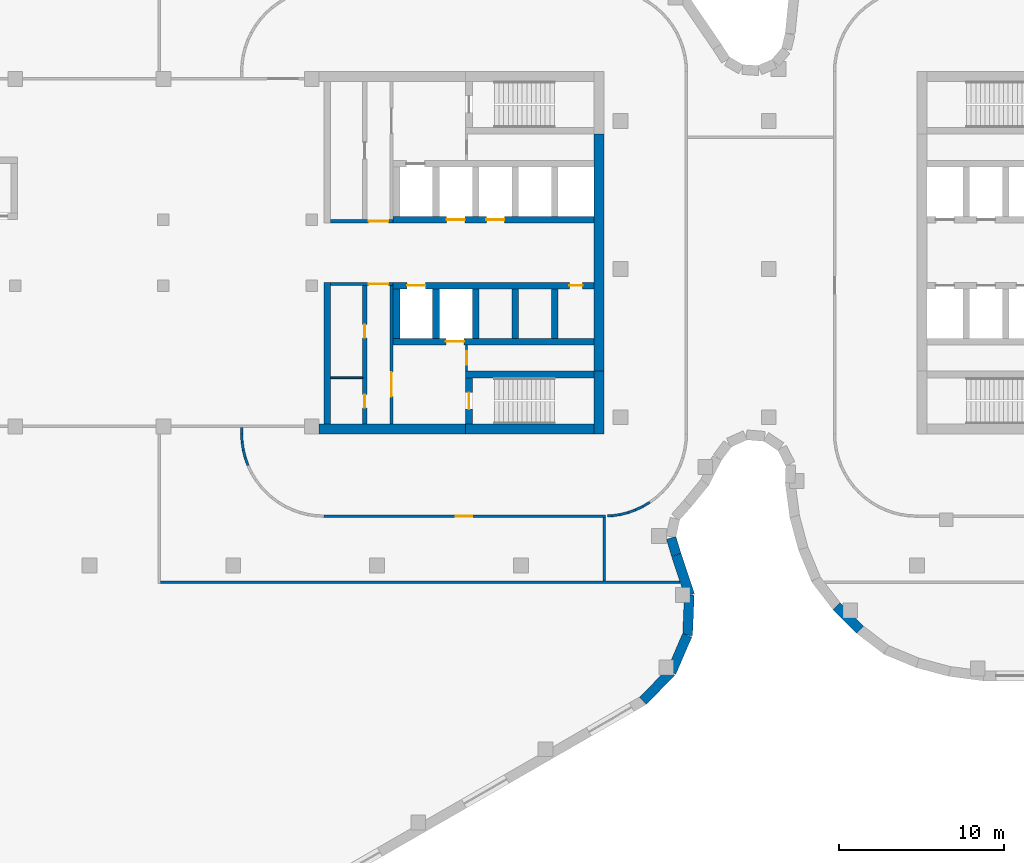
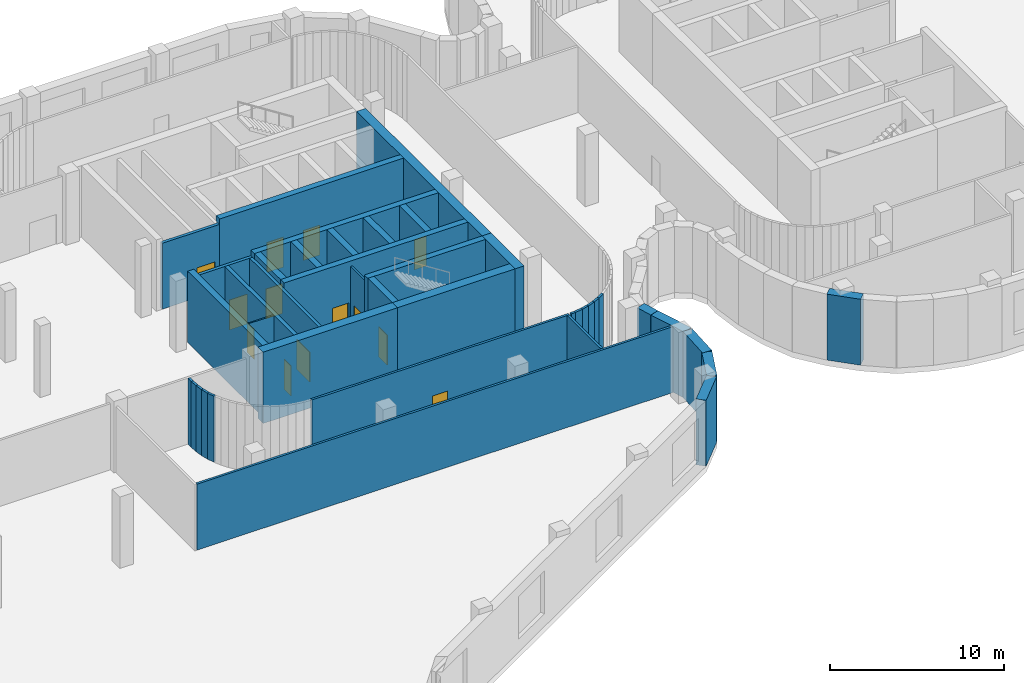
# One storey, part 8 of 18: 41 walls, 13 doors, 13 openings.
"""IFC4 building model written with IfcOpenShell, lengths in metres."""

import ifcopenshell
import ifcopenshell.guid

model = None  # the IFC model being written
_history = None  # IfcOwnerHistory: only IFC2X3 demands one
_inside = {}  # id of a spatial element -> (the spatial element, [elements in it])
_under = {}  # id of a project, library or spatial element -> (it, [spatial elements below it])
_declared = {}  # id of a project -> (the project, [libraries it declares])
_typed = {}  # id of a type object -> (the type object, [elements of that type])
_made_of = {}  # id of a material, layer set ... -> (it, [elements and type objects made of it])


def new_model(schema):
    """Start an empty IFC model of exactly this schema.

    Asked for "IFC4X3", IfcOpenShell would pick the latest addendum, in which some entities
    have other attributes; the version numbers below select the first issue.
    IFC2X3 requires an IfcOwnerHistory on every rooted entity: one is made here for all.
    """
    global model, _history
    if schema == "IFC4X3":
        model = ifcopenshell.file(schema_version=(4, 3, 0, 0))
    else:
        model = ifcopenshell.file(schema=schema)
    _inside.clear()
    _under.clear()
    _declared.clear()
    _typed.clear()
    _made_of.clear()
    _history = None
    if model.schema == "IFC2X3":
        org = make("IfcOrganization", Name="unknown")
        user = make(
            "IfcPersonAndOrganization",
            ThePerson=make("IfcPerson", FamilyName="unknown"),
            TheOrganization=org,
        )
        app = make(
            "IfcApplication",
            ApplicationDeveloper=org,
            Version="unknown",
            ApplicationFullName="unknown",
            ApplicationIdentifier="unknown",
        )
        _history = make(
            "IfcOwnerHistory",
            OwningUser=user,
            OwningApplication=app,
            ChangeAction="ADDED",
            CreationDate=0,
        )
    return model


def make(cls, **values):
    """One entity of the class cls with the attributes given. An attribute that is None is left unset."""
    return model.create_entity(
        cls, **{name: value for name, value in values.items() if value is not None}
    )


def rooted(cls, **values):
    """An entity with a GlobalId (a new one), such as an element, a storey or a relation."""
    return make(cls, GlobalId=ifcopenshell.guid.new(), OwnerHistory=_history, **values)


def si_unit(unit_type, name, prefix=None):
    """IfcSIUnit, for example si_unit("LENGTHUNIT", "METRE", prefix="MILLI")."""
    return make("IfcSIUnit", UnitType=unit_type, Prefix=prefix, Name=name)


def assignment(units):
    """IfcUnitAssignment: the units of a project."""
    return None if units is None else make("IfcUnitAssignment", Units=units)


def point(xyz):
    """IfcCartesianPoint."""
    return None if xyz is None else make("IfcCartesianPoint", Coordinates=xyz)


def direction(xyz):
    """IfcDirection."""
    return None if xyz is None else make("IfcDirection", DirectionRatios=xyz)


def frame(location, z_axis=None, x_axis=None):
    """IfcAxis2Placement3D, a coordinate frame: its origin and axes. An axis left out is left unset."""
    return make(
        "IfcAxis2Placement3D",
        Location=point(location),
        Axis=direction(z_axis),
        RefDirection=direction(x_axis),
    )


def frame_2d(location, x_axis=None):
    """IfcAxis2Placement2D, a coordinate frame in the plane: its origin and x axis."""
    return make(
        "IfcAxis2Placement2D", Location=point(location), RefDirection=direction(x_axis)
    )


def origin():
    """The frame at (0, 0, 0) with its axes left unset."""
    return frame((0.0, 0.0, 0.0))


def place(relative_to, where):
    """IfcLocalPlacement: puts the frame where relative to a parent placement (None: the world)."""
    return make(
        "IfcLocalPlacement", PlacementRelTo=relative_to, RelativePlacement=where
    )


def context(
    kind, dimensions, precision=None, world=None, true_north=None, identifier=None
):
    """IfcGeometricRepresentationContext, for example the 3D "Model" context."""
    return make(
        "IfcGeometricRepresentationContext",
        ContextIdentifier=identifier,
        ContextType=kind,
        CoordinateSpaceDimension=dimensions,
        Precision=precision,
        WorldCoordinateSystem=world,
        TrueNorth=true_north,
    )


def subcontext(parent, identifier, kind, view, scale=None):
    """IfcGeometricRepresentationSubContext, for example "Body" below "Model"."""
    return make(
        "IfcGeometricRepresentationSubContext",
        ContextIdentifier=identifier,
        ContextType=kind,
        ParentContext=parent,
        TargetScale=scale,
        TargetView=view,
    )


def project(units=None, contexts=None):
    """IfcProject with its units and contexts."""
    return rooted(
        "IfcProject",
        Name="project",
        RepresentationContexts=contexts,
        UnitsInContext=assignment(units),
    )


def spatial(cls, under=None, at=None, **own):
    """A site, building, storey or space (cls), placed at a placement, below another one or the project."""
    s = rooted(cls, ObjectPlacement=at, **own)
    if under is not None:
        _under.setdefault(under.id(), (under, []))[1].append(s)
    return s


def profile(cls, at=None, kind="AREA", **sizes):
    """A parametric profile (cls). Its sizes go by their IFC names, for example OverallWidth=200.0."""
    return make(cls, ProfileType=kind, Position=at, **sizes)


def rectangle(**sizes):
    """IfcRectangleProfileDef."""
    return profile("IfcRectangleProfileDef", **sizes)


def extrude(swept, where, along, depth):
    """IfcExtrudedAreaSolid: the profile swept, set in the frame where, extruded along a direction by depth."""
    return make(
        "IfcExtrudedAreaSolid",
        SweptArea=swept,
        Position=where,
        ExtrudedDirection=direction(along),
        Depth=depth,
    )


def shape(context_of_items, identifier, shape_type, items):
    """IfcShapeRepresentation: the items that make up one representation, for example the "Body"."""
    return make(
        "IfcShapeRepresentation",
        ContextOfItems=context_of_items,
        RepresentationIdentifier=identifier,
        RepresentationType=shape_type,
        Items=items,
    )


def material(Name=None, Category=None):
    """IfcMaterial."""
    return make("IfcMaterial", Name=Name, Category=Category)


def layer(
    of_material, thickness, ventilated=None, Name=None, Category=None, Priority=None
):
    """IfcMaterialLayer: one layer of a wall or slab, of a material (None: an air gap)."""
    return make(
        "IfcMaterialLayer",
        Material=of_material,
        LayerThickness=thickness,
        IsVentilated=ventilated,
        Name=Name,
        Category=Category,
        Priority=Priority,
    )


def layer_set(layers, Name=None):
    """IfcMaterialLayerSet."""
    return make("IfcMaterialLayerSet", MaterialLayers=layers, LayerSetName=Name)


def made_of(thing, what):
    """Note that an element or type object is made of a material, layer set ...; save() writes the relation."""
    if what is not None:
        _made_of.setdefault(what.id(), (what, []))[1].append(thing)
    return thing


def type_object(cls, material=None, **own):
    """A type object (cls), such as IfcWallType, which elements share."""
    return made_of(rooted(cls, **own), material)


def element(
    cls,
    number,
    at=None,
    inside=None,
    cuts=None,
    type_object=None,
    material=None,
    context=None,
    identifier="Body",
    shape_type=None,
    held_by="IfcProductDefinitionShape",
    body=None,
    shapes=None,
    **own,
):
    """One element of the class cls, such as IfcWall. Its Tag is "e" and its number.

    at: its placement. inside: the storey or other place that contains it. cuts: it is an
    opening in that element (IfcRelVoidsElement). A single representation is given by context,
    identifier, shape_type and body (its items); several are given by shapes. held_by: the class
    of the entity that holds the representations. save() writes the other relations.
    """
    e = rooted(cls, Tag="e%d" % number, ObjectPlacement=at, **own)
    if body is not None:
        shapes = [shape(context, identifier, shape_type, body)]
    if shapes is not None:
        e.Representation = make(held_by, Representations=shapes)
    if inside is not None:
        _inside.setdefault(inside.id(), (inside, []))[1].append(e)
    if cuts is not None:
        rooted(
            "IfcRelVoidsElement", RelatingBuildingElement=cuts, RelatedOpeningElement=e
        )
    if type_object is not None:
        _typed.setdefault(type_object.id(), (type_object, []))[1].append(e)
    return made_of(e, material)


def fill(opening, filler):
    """IfcRelFillsElement: the door or window that sits in an opening."""
    return rooted(
        "IfcRelFillsElement",
        RelatingOpeningElement=opening,
        RelatedBuildingElement=filler,
    )


def aggregate(whole, parts):
    """IfcRelAggregates: a whole, such as a stair, and the parts it consists of."""
    return rooted("IfcRelAggregates", RelatingObject=whole, RelatedObjects=parts)


def save(model, path):
    """Write the relations noted so far, then the file.

    IfcRelAggregates (storeys below a building ...), IfcRelContainedInSpatialStructure (elements
    in a storey), IfcRelDefinesByType, IfcRelAssociatesMaterial and IfcRelDeclares: one each for
    every whole, place, type object, material and project.
    """
    for whole, parts in _under.values():
        aggregate(whole, parts)
    for where, things in _inside.values():
        rooted(
            "IfcRelContainedInSpatialStructure",
            RelatedElements=things,
            RelatingStructure=where,
        )
    for kind, things in _typed.values():
        rooted("IfcRelDefinesByType", RelatedObjects=things, RelatingType=kind)
    for what, things in _made_of.values():
        rooted("IfcRelAssociatesMaterial", RelatedObjects=things, RelatingMaterial=what)
    for by, libraries in _declared.values():
        rooted("IfcRelDeclares", RelatingContext=by, RelatedDefinitions=libraries)
    model.write(path)


model = new_model("IFC4")

# Units and contexts
model_context = context("Model", 3, precision=1e-05, world=origin(), true_north=direction((0.0, 1.0)))
body_context = subcontext(model_context, "Body", "Model", "MODEL_VIEW")
ifc_project = project(units=[si_unit("LENGTHUNIT", "METRE"), si_unit("AREAUNIT", "SQUARE_METRE"), si_unit("VOLUMEUNIT", "CUBIC_METRE"), si_unit("PLANEANGLEUNIT", "RADIAN"), si_unit("MASSUNIT", "GRAM", prefix="KILO")], contexts=[model_context])

# Site, building, storey
site_placement = place(None, origin())
site = spatial("IfcSite", under=ifc_project, at=site_placement, CompositionType="ELEMENT")
building_placement = place(site_placement, origin())
building = spatial("IfcBuilding", under=site, at=building_placement, Name="Skarvind Civic Tower", CompositionType="ELEMENT")
storey_placement = place(building_placement, frame((0.0, 0.0, 22.5)))
storey = spatial("IfcBuildingStorey", under=building, at=storey_placement, Name="L04", CompositionType="ELEMENT", Elevation=22.5)

# Wall, opening, door
ifc_material_1 = material(Name="Fire-rated masonry partition", Category="masonry")
ifc_layer_1 = layer(ifc_material_1, 0.199951171875)
ifc_layer_set_1 = layer_set([ifc_layer_1], Name="Core enclosure wall 200")
wall_type_1 = type_object("IfcWallType", Name="Core enclosure wall 200", PredefinedType="PARTITIONING", material=ifc_layer_set_1)
wall_1_placement = place(storey_placement, frame((95.199951171875, 126.10009765625, 0.0), z_axis=(0.0, 0.0, 1.0), x_axis=(-1.0, 0.0, 0.0)))
wall_1 = element("IfcWall", 1, at=wall_1_placement, inside=storey, type_object=wall_type_1, Name="Core wall C1", PredefinedType="PARTITIONING", context=body_context, shape_type="SweptSolid", body=[
    extrude(rectangle(XDim=3.800048828125, YDim=0.199951171875, at=frame_2d((1.89990234375, 0.0))), origin(), (0.0, 0.0, 1.0), 4.625),
])
opening_1_placement = place(wall_1_placement, frame((0.300048828125, 0.0, 0.0)))
opening_1 = element("IfcOpeningElement", 2, at=opening_1_placement, cuts=wall_1, Name="Opening D-L04-C1-05", PredefinedType="OPENING", context=body_context, shape_type="SweptSolid", body=[
    extrude(rectangle(XDim=1.199951171875, YDim=2.10009765625, at=frame_2d((0.60009765625, 1.050048828125))), frame((0.0, 0.10986328125, 0.0), z_axis=(0.0, -1.0, 0.0), x_axis=(1.0, 0.0, 0.0)), (0.0, 0.0, 1.0), 0.219970703125),
])
ifc_material_2 = material(Name="Fire-rated steel door", Category="steel")
door_type_1 = type_object("IfcDoorType", Name="Core lobby door 1200", OperationType="NOTDEFINED", PredefinedType="DOOR", material=ifc_material_2)
door_1_placement = place(opening_1_placement, origin())
door_1 = element("IfcDoor", 3, at=door_1_placement, inside=storey, type_object=door_type_1, Name="Fire door", OperationType="DOUBLE_DOOR_SINGLE_SWING", OverallHeight=2.10009765625, OverallWidth=1.199951171875, PredefinedType="DOOR", context=body_context, shape_type="SweptSolid", body=[
    extrude(rectangle(XDim=1.199951171875, YDim=2.10009765625, at=frame_2d((0.60009765625, 1.050048828125))), frame((0.0, 0.02490234375, 0.0), z_axis=(0.0, -1.0, 0.0), x_axis=(1.0, 0.0, 0.0)), (0.0, 0.0, 1.0), 0.050048828125),
])
fill(opening_1, door_1)

wall_2_placement = place(storey_placement, frame((95.10009765625, 117.60009765625, 0.0), z_axis=(0.0, 0.0, 1.0), x_axis=(0.0, 1.0, 0.0)))
wall_2 = element("IfcWall", 4, at=wall_2_placement, inside=storey, type_object=wall_type_1, Name="Core wall C1", PredefinedType="PARTITIONING", context=body_context, shape_type="SweptSolid", body=[
    extrude(rectangle(XDim=8.39990234375, YDim=0.199951171875, at=frame_2d((4.199951171875, 0.0))), origin(), (0.0, 0.0, 1.0), 4.625),
])
opening_2_placement = place(wall_2_placement, frame((1.64990234375, 0.0, 0.0)))
opening_2 = element("IfcOpeningElement", 5, at=opening_2_placement, cuts=wall_2, Name="Opening D-L04-C1-06", PredefinedType="OPENING", context=body_context, shape_type="SweptSolid", body=[
    extrude(rectangle(XDim=1.5, YDim=2.10009765625, at=frame_2d((0.75, 1.050048828125))), frame((0.0, 0.10986328125, 0.0), z_axis=(0.0, -1.0, 0.0), x_axis=(1.0, 0.0, 0.0)), (0.0, 0.0, 1.0), 0.219970703125),
])
door_type_2 = type_object("IfcDoorType", Name="Fire door 1500", OperationType="NOTDEFINED", PredefinedType="DOOR", material=ifc_material_2)
door_2_placement = place(opening_2_placement, origin())
door_2 = element("IfcDoor", 6, at=door_2_placement, inside=storey, type_object=door_type_2, Name="Fire door", OperationType="DOUBLE_DOOR_SINGLE_SWING", OverallHeight=2.10009765625, OverallWidth=1.5, PredefinedType="DOOR", context=body_context, shape_type="SweptSolid", body=[
    extrude(rectangle(XDim=1.5, YDim=2.10009765625, at=frame_2d((0.75, 1.050048828125))), frame((0.0, 0.02490234375, 0.0), z_axis=(0.0, -1.0, 0.0), x_axis=(1.0, 0.0, 0.0)), (0.0, 0.0, 1.0), 0.050048828125),
])
fill(opening_2, door_2)

wall_3_placement = place(storey_placement, frame((91.39990234375, 129.89990234375, 0.0), z_axis=(0.0, 0.0, 1.0), x_axis=(1.0, 0.0, 0.0)))
wall_3 = element("IfcWall", 7, at=wall_3_placement, inside=storey, type_object=wall_type_1, Name="Core wall C1", PredefinedType="PARTITIONING", context=body_context, shape_type="SweptSolid", body=[
    extrude(rectangle(XDim=3.800048828125, YDim=0.199951171875, at=frame_2d((1.89990234375, 0.0))), origin(), (0.0, 0.0, 1.0), 4.625),
])
opening_3_placement = place(wall_3_placement, frame((2.300048828125, 0.0, 0.0)))
opening_3 = element("IfcOpeningElement", 8, at=opening_3_placement, cuts=wall_3, Name="Opening D-L04-C1-11", PredefinedType="OPENING", context=body_context, shape_type="SweptSolid", body=[
    extrude(rectangle(XDim=1.199951171875, YDim=2.10009765625, at=frame_2d((0.60009765625, 1.050048828125))), frame((0.0, 0.10986328125, 0.0), z_axis=(0.0, -1.0, 0.0), x_axis=(1.0, 0.0, 0.0)), (0.0, 0.0, 1.0), 0.219970703125),
])
door_3_placement = place(opening_3_placement, origin())
door_3 = element("IfcDoor", 9, at=door_3_placement, inside=storey, type_object=door_type_1, Name="Fire door", OperationType="DOUBLE_DOOR_SINGLE_SWING", OverallHeight=2.10009765625, OverallWidth=1.199951171875, PredefinedType="DOOR", context=body_context, shape_type="SweptSolid", body=[
    extrude(rectangle(XDim=1.199951171875, YDim=2.10009765625, at=frame_2d((0.60009765625, 1.050048828125))), frame((0.0, 0.02490234375, 0.0), z_axis=(0.0, -1.0, 0.0), x_axis=(1.0, 0.0, 0.0)), (0.0, 0.0, 1.0), 0.050048828125),
])
fill(opening_3, door_3)

# Walls
ifc_material_3 = material(Name="Fire-rated plasterboard partition")
ifc_layer_2 = layer(ifc_material_3, 0.10009765625)
ifc_layer_set_2 = layer_set([ifc_layer_2], Name="Core partition wall 100")
wall_type_2 = type_object("IfcWallType", Name="Core partition wall 100", PredefinedType="PARTITIONING", material=ifc_layer_set_2)
wall_4_placement = place(storey_placement, frame((93.35009765625, 120.39990234375, 0.0), z_axis=(0.0, 0.0, 1.0), x_axis=(-1.0, 0.0, 0.0)))
element("IfcWall", 10, at=wall_4_placement, inside=storey, type_object=wall_type_2, Name="Core wall C1", PredefinedType="PARTITIONING", context=body_context, shape_type="SweptSolid", body=[
    extrude(rectangle(XDim=1.9501953125, YDim=0.10009765625, at=frame_2d((0.97509765625, 0.0))), origin(), (0.0, 0.0, 1.0), 4.625),
])
ifc_material_4 = material(Name="Concrete C80", Category="concrete")
ifc_layer_3 = layer(ifc_material_4, 0.39990234375)
ifc_layer_set_3 = layer_set([ifc_layer_3], Name="Core wall 400 C80")
wall_type_3 = type_object("IfcWallType", Name="Core wall 400 C80", PredefinedType="SHEAR", material=ifc_layer_set_3)
wall_5_placement = place(storey_placement, frame((107.39990234375, 120.60009765625, 0.0), z_axis=(0.0, 0.0, 1.0), x_axis=(-1.0, 0.0, 0.0)))
element("IfcWall", 11, at=wall_5_placement, inside=storey, type_object=wall_type_3, Name="Core wall C1 north stair inner L04", PredefinedType="SHEAR", context=body_context, shape_type="SweptSolid", body=[
    extrude(rectangle(XDim=7.7998046875, YDim=0.39990234375, at=frame_2d((3.89990234375, 0.0))), origin(), (0.0, 0.0, 1.0), 5.0),
])

# Wall, opening, door
wall_6_placement = place(storey_placement, frame((99.800048828125, 120.39990234375, 0.0), z_axis=(0.0, 0.0, 1.0), x_axis=(0.0, -1.0, 0.0)))
wall_6 = element("IfcWall", 12, at=wall_6_placement, inside=storey, type_object=wall_type_3, Name="Core wall C1 north stair end L04", PredefinedType="SHEAR", context=body_context, shape_type="SweptSolid", body=[
    extrude(rectangle(XDim=2.7998046875, YDim=0.39990234375, at=frame_2d((1.39990234375, 0.0))), origin(), (0.0, 0.0, 1.0), 5.0),
])
opening_4_placement = place(wall_6_placement, frame((0.89990234375, 0.0, 0.0)))
opening_4 = element("IfcOpeningElement", 13, at=opening_4_placement, cuts=wall_6, Name="Opening D-L04-C1-07", PredefinedType="OPENING", context=body_context, shape_type="SweptSolid", body=[
    extrude(rectangle(XDim=1.0, YDim=2.10009765625, at=frame_2d((0.5, 1.050048828125))), frame((0.0, 0.2099609375, 0.0), z_axis=(0.0, -1.0, 0.0), x_axis=(1.0, 0.0, 0.0)), (0.0, 0.0, 1.0), 0.419921875),
])
door_type_3 = type_object("IfcDoorType", Name="Fire door 1000", OperationType="NOTDEFINED", PredefinedType="DOOR", material=ifc_material_2)
door_4_placement = place(opening_4_placement, origin())
door_4 = element("IfcDoor", 14, at=door_4_placement, inside=storey, type_object=door_type_3, Name="Fire door", OperationType="SINGLE_SWING_LEFT", OverallHeight=2.10009765625, OverallWidth=1.0, PredefinedType="DOOR", context=body_context, shape_type="SweptSolid", body=[
    extrude(rectangle(XDim=1.0, YDim=2.10009765625, at=frame_2d((0.5, 1.050048828125))), frame((0.0, 0.02490234375, 0.0), z_axis=(0.0, -1.0, 0.0), x_axis=(1.0, 0.0, 0.0)), (0.0, 0.0, 1.0), 0.050048828125),
])
fill(opening_4, door_4)

# Wall, openings, doors
wall_7_placement = place(storey_placement, frame((107.39990234375, 130.0, 0.0), z_axis=(0.0, 0.0, 1.0), x_axis=(-1.0, 0.0, 0.0)))
wall_7 = element("IfcWall", 15, at=wall_7_placement, inside=storey, type_object=wall_type_3, Name="Core wall C1 south lift row front L04", PredefinedType="SHEAR", context=body_context, shape_type="SweptSolid", body=[
    extrude(rectangle(XDim=12.199951171875, YDim=0.39990234375, at=frame_2d((6.10009765625, 0.0))), origin(), (0.0, 0.0, 1.0), 5.0),
])
opening_5_placement = place(wall_7_placement, frame((5.449951171875, 0.0, 0.0)))
opening_5 = element("IfcOpeningElement", 16, at=opening_5_placement, cuts=wall_7, Name="Opening LD06108", PredefinedType="OPENING", context=body_context, shape_type="SweptSolid", body=[
    extrude(rectangle(XDim=1.10009765625, YDim=2.10009765625, at=frame_2d((0.550048828125, 1.050048828125))), frame((0.0, 0.2099609375, 0.0), z_axis=(0.0, -1.0, 0.0), x_axis=(1.0, 0.0, 0.0)), (0.0, 0.0, 1.0), 0.419921875),
])
opening_6_placement = place(wall_7_placement, frame((7.85009765625, 0.0, 0.0)))
opening_6 = element("IfcOpeningElement", 17, at=opening_6_placement, cuts=wall_7, Name="Opening LD06109", PredefinedType="OPENING", context=body_context, shape_type="SweptSolid", body=[
    extrude(rectangle(XDim=1.10009765625, YDim=2.10009765625, at=frame_2d((0.550048828125, 1.050048828125))), frame((0.0, 0.2099609375, 0.0), z_axis=(0.0, -1.0, 0.0), x_axis=(1.0, 0.0, 0.0)), (0.0, 0.0, 1.0), 0.419921875),
])
ifc_material_5 = material(Name="Stainless steel landing door", Category="steel")
door_type_4 = type_object("IfcDoorType", Name="Lift landing door 1100", OperationType="DOUBLE_DOOR_SLIDING", PredefinedType="DOOR", material=ifc_material_5)
door_5_placement = place(opening_5_placement, origin())
door_5 = element("IfcDoor", 18, at=door_5_placement, inside=storey, type_object=door_type_4, Name="Lift landing door", OperationType="DOUBLE_DOOR_SLIDING", OverallHeight=2.10009765625, OverallWidth=1.10009765625, PredefinedType="DOOR", context=body_context, shape_type="SweptSolid", body=[
    extrude(rectangle(XDim=1.10009765625, YDim=2.10009765625, at=frame_2d((0.550048828125, 1.050048828125))), frame((0.0, 0.02490234375, 0.0), z_axis=(0.0, -1.0, 0.0), x_axis=(1.0, 0.0, 0.0)), (0.0, 0.0, 1.0), 0.050048828125),
])
fill(opening_5, door_5)
door_6_placement = place(opening_6_placement, origin())
door_6 = element("IfcDoor", 19, at=door_6_placement, inside=storey, type_object=door_type_4, Name="Lift landing door", OperationType="DOUBLE_DOOR_SLIDING", OverallHeight=2.10009765625, OverallWidth=1.10009765625, PredefinedType="DOOR", context=body_context, shape_type="SweptSolid", body=[
    extrude(rectangle(XDim=1.10009765625, YDim=2.10009765625, at=frame_2d((0.550048828125, 1.050048828125))), frame((0.0, 0.02490234375, 0.0), z_axis=(0.0, -1.0, 0.0), x_axis=(1.0, 0.0, 0.0)), (0.0, 0.0, 1.0), 0.050048828125),
])
fill(opening_6, door_6)

wall_8_placement = place(storey_placement, frame((107.39990234375, 126.0, 0.0), z_axis=(0.0, 0.0, 1.0), x_axis=(-1.0, 0.0, 0.0)))
wall_8 = element("IfcWall", 20, at=wall_8_placement, inside=storey, type_object=wall_type_3, Name="Core wall C1 north lift row front L04", PredefinedType="SHEAR", context=body_context, shape_type="SweptSolid", body=[
    extrude(rectangle(XDim=12.199951171875, YDim=0.39990234375, at=frame_2d((6.10009765625, 0.0))), origin(), (0.0, 0.0, 1.0), 5.0),
])
opening_7_placement = place(wall_8_placement, frame((10.25, 0.0, 0.0)))
opening_7 = element("IfcOpeningElement", 21, at=opening_7_placement, cuts=wall_8, Name="Opening LD06105", PredefinedType="OPENING", context=body_context, shape_type="SweptSolid", body=[
    extrude(rectangle(XDim=1.10009765625, YDim=2.10009765625, at=frame_2d((0.550048828125, 1.050048828125))), frame((0.0, 0.2099609375, 0.0), z_axis=(0.0, -1.0, 0.0), x_axis=(1.0, 0.0, 0.0)), (0.0, 0.0, 1.0), 0.419921875),
])
opening_8_placement = place(wall_8_placement, frame((0.699951171875, 0.0, 0.0)))
opening_8 = element("IfcOpeningElement", 22, at=opening_8_placement, cuts=wall_8, Name="Opening D-L04-C1-04", PredefinedType="OPENING", context=body_context, shape_type="SweptSolid", body=[
    extrude(rectangle(XDim=0.800048828125, YDim=2.10009765625, at=frame_2d((0.39990234375, 1.050048828125))), frame((0.0, 0.2099609375, 0.0), z_axis=(0.0, -1.0, 0.0), x_axis=(1.0, 0.0, 0.0)), (0.0, 0.0, 1.0), 0.419921875),
])
door_type_5 = type_object("IfcDoorType", Name="Core riser door 800", OperationType="NOTDEFINED", PredefinedType="DOOR", material=ifc_material_2)
door_7_placement = place(opening_8_placement, origin())
door_7 = element("IfcDoor", 23, at=door_7_placement, inside=storey, type_object=door_type_5, Name="Riser door", OperationType="SINGLE_SWING_LEFT", OverallHeight=2.10009765625, OverallWidth=0.800048828125, PredefinedType="DOOR", context=body_context, shape_type="SweptSolid", body=[
    extrude(rectangle(XDim=0.800048828125, YDim=2.10009765625, at=frame_2d((0.39990234375, 1.050048828125))), frame((0.0, 0.02490234375, 0.0), z_axis=(0.0, -1.0, 0.0), x_axis=(1.0, 0.0, 0.0)), (0.0, 0.0, 1.0), 0.050048828125),
])
fill(opening_8, door_7)
door_8_placement = place(opening_7_placement, origin())
door_8 = element("IfcDoor", 24, at=door_8_placement, inside=storey, type_object=door_type_4, Name="Lift landing door", OperationType="DOUBLE_DOOR_SLIDING", OverallHeight=2.10009765625, OverallWidth=1.10009765625, PredefinedType="DOOR", context=body_context, shape_type="SweptSolid", body=[
    extrude(rectangle(XDim=1.10009765625, YDim=2.10009765625, at=frame_2d((0.550048828125, 1.050048828125))), frame((0.0, 0.02490234375, 0.0), z_axis=(0.0, -1.0, 0.0), x_axis=(1.0, 0.0, 0.0)), (0.0, 0.0, 1.0), 0.050048828125),
])
fill(opening_7, door_8)

# Wall, opening, door
wall_9_placement = place(storey_placement, frame((107.39990234375, 122.60009765625, 0.0), z_axis=(0.0, 0.0, 1.0), x_axis=(-1.0, 0.0, 0.0)))
wall_9 = element("IfcWall", 25, at=wall_9_placement, inside=storey, type_object=wall_type_3, Name="Core wall C1 north lift row back L04", PredefinedType="SHEAR", context=body_context, shape_type="SweptSolid", body=[
    extrude(rectangle(XDim=12.199951171875, YDim=0.39990234375, at=frame_2d((6.10009765625, 0.0))), origin(), (0.0, 0.0, 1.0), 5.0),
])
opening_9_placement = place(wall_9_placement, frame((7.89990234375, 0.0, 0.0)))
opening_9 = element("IfcOpeningElement", 26, at=opening_9_placement, cuts=wall_9, Name="Opening LD06104", PredefinedType="OPENING", context=body_context, shape_type="SweptSolid", body=[
    extrude(rectangle(XDim=1.10009765625, YDim=2.10009765625, at=frame_2d((0.550048828125, 1.050048828125))), frame((0.0, 0.2099609375, 0.0), z_axis=(0.0, -1.0, 0.0), x_axis=(1.0, 0.0, 0.0)), (0.0, 0.0, 1.0), 0.419921875),
])
door_9_placement = place(opening_9_placement, origin())
door_9 = element("IfcDoor", 27, at=door_9_placement, inside=storey, type_object=door_type_4, Name="Lift landing door", OperationType="DOUBLE_DOOR_SLIDING", OverallHeight=2.10009765625, OverallWidth=1.10009765625, PredefinedType="DOOR", context=body_context, shape_type="SweptSolid", body=[
    extrude(rectangle(XDim=1.10009765625, YDim=2.10009765625, at=frame_2d((0.550048828125, 1.050048828125))), frame((0.0, 0.02490234375, 0.0), z_axis=(0.0, -1.0, 0.0), x_axis=(1.0, 0.0, 0.0)), (0.0, 0.0, 1.0), 0.050048828125),
])
fill(opening_9, door_9)

# Walls
for number, where, z_axis, x_axis, name in (
    (28, (105.0, 125.800048828125, 0.0), (0.0, 0.0, 1.0), (0.0, -1.0, 0.0), "Core wall C1 north lift row division 1 L04"),
    (29, (102.60009765625, 125.800048828125, 0.0), (0.0, 0.0, 1.0), (0.0, -1.0, 0.0), "Core wall C1 north lift row division 2 L04"),
    (30, (100.199951171875, 125.800048828125, 0.0), (0.0, 0.0, 1.0), (0.0, -1.0, 0.0), "Core wall C1 north lift row division 3 L04"),
    (31, (97.800048828125, 125.800048828125, 0.0), (0.0, 0.0, 1.0), (0.0, -1.0, 0.0), "Core wall C1 north lift row division 4 L04"),
    (32, (95.39990234375, 125.800048828125, 0.0), (0.0, 0.0, 1.0), (0.0, -1.0, 0.0), "Core wall C1 north lift row division 5 L04"),
):
    element("IfcWall", number, at=place(storey_placement, frame(where, z_axis=z_axis, x_axis=x_axis)), inside=storey, type_object=wall_type_3, Name=name, PredefinedType="SHEAR", context=body_context, shape_type="SweptSolid", body=[
        extrude(rectangle(XDim=3.0, YDim=0.39990234375, at=frame_2d((1.5, 0.0))), origin(), (0.0, 0.0, 1.0), 5.0),
    ])
wall_10_placement = place(storey_placement, frame((91.199951171875, 126.199951171875, 0.0), z_axis=(0.0, 0.0, 1.0), x_axis=(0.0, -1.0, 0.0)))
element("IfcWall", 33, at=wall_10_placement, inside=storey, type_object=wall_type_3, Name="Core wall C1 north inner face L04", PredefinedType="SHEAR", context=body_context, shape_type="SweptSolid", body=[
    extrude(rectangle(XDim=8.599853515625, YDim=0.39990234375, at=frame_2d((4.2998046875, 0.0))), origin(), (0.0, 0.0, 1.0), 5.0),
])
ifc_layer_4 = layer(ifc_material_4, 0.60009765625)
ifc_layer_set_4 = layer_set([ifc_layer_4], Name="Core wall 600 C80")
wall_type_4 = type_object("IfcWallType", Name="Core wall 600 C80", PredefinedType="SHEAR", material=ifc_layer_set_4)
wall_11_placement = place(storey_placement, frame((107.699951171875, 135.199951171875, 0.0), z_axis=(0.0, 0.0, 1.0), x_axis=(0.0, -1.0, 0.0)))
element("IfcWall", 34, at=wall_11_placement, inside=storey, type_object=wall_type_4, Name="Core wall C1 tip between the stairs L04", PredefinedType="SHEAR", context=body_context, shape_type="SweptSolid", body=[
    extrude(rectangle(XDim=14.39990234375, YDim=0.60009765625, at=frame_2d((7.199951171875, 0.0))), origin(), (0.0, 0.0, 1.0), 5.0),
])
wall_12_placement = place(storey_placement, frame((107.699951171875, 120.800048828125, 0.0), z_axis=(0.0, 0.0, 1.0), x_axis=(0.0, -1.0, 0.0)))
element("IfcWall", 35, at=wall_12_placement, inside=storey, type_object=wall_type_4, Name="Core wall C1 tip at the north stair L04", PredefinedType="SHEAR", context=body_context, shape_type="SweptSolid", body=[
    extrude(rectangle(XDim=3.800048828125, YDim=0.60009765625, at=frame_2d((1.89990234375, 0.0))), origin(), (0.0, 0.0, 1.0), 5.0),
])
wall_13_placement = place(storey_placement, frame((107.39990234375, 117.300048828125, 0.0), z_axis=(0.0, 0.0, 1.0), x_axis=(-1.0, 0.0, 0.0)))
element("IfcWall", 36, at=wall_13_placement, inside=storey, type_object=wall_type_4, Name="Core wall C1 north side at the stair L04", PredefinedType="SHEAR", context=body_context, shape_type="SweptSolid", body=[
    extrude(rectangle(XDim=7.7998046875, YDim=0.60009765625, at=frame_2d((3.89990234375, 0.0))), origin(), (0.0, 0.0, 1.0), 5.0),
])
wall_14_placement = place(storey_placement, frame((99.60009765625, 117.300048828125, 0.0), z_axis=(0.0, 0.0, 1.0), x_axis=(-1.0, 0.0, 0.0)))
element("IfcWall", 37, at=wall_14_placement, inside=storey, type_object=wall_type_4, Name="Core wall C1 north side L04", PredefinedType="SHEAR", context=body_context, shape_type="SweptSolid", body=[
    extrude(rectangle(XDim=8.900146484375, YDim=0.60009765625, at=frame_2d((4.4501953125, 0.0))), origin(), (0.0, 0.0, 1.0), 5.0),
])
ifc_material_6 = material(Name="Plasterboard partition on steel studs", Category="steel")
ifc_layer_5 = layer(ifc_material_6, 0.14990234375)
ifc_layer_set_5 = layer_set([ifc_layer_5], Name="PARTITION 150")
wall_type_5 = type_object("IfcWallType", Name="PARTITION 150", PredefinedType="PARTITIONING", material=ifc_layer_set_5)
wall_15_placement = place(storey_placement, frame((81.074951171875, 108.0, 0.0), z_axis=(0.0, 0.0, 1.0), x_axis=(1.0, 0.0, 0.0)))
element("IfcWall", 38, at=wall_15_placement, inside=storey, type_object=wall_type_5, Name="Podium partition L04 128", PredefinedType="PARTITIONING", context=body_context, shape_type="SweptSolid", body=[
    extrude(rectangle(XDim=31.545166015625, YDim=0.14990234375, at=frame_2d((15.7724609375, 0.0))), origin(), (0.0, 0.0, 1.0), 4.625),
])
wall_16_placement = place(storey_placement, frame((86.0, 116.998046875, 0.0), z_axis=(0.0, 0.0, 1.0), x_axis=(0.0, 1.0, 0.0)))
element("IfcWall", 39, at=wall_16_placement, inside=storey, type_object=wall_type_5, Name="Podium partition L04 130", PredefinedType="PARTITIONING", context=body_context, shape_type="SweptSolid", body=[
    extrude(rectangle(XDim=0.376953125, YDim=0.14990234375, at=frame_2d((0.1884765625, 0.0))), origin(), (0.0, 0.0, 1.0), 4.625),
])
wall_17_placement = place(storey_placement, frame((86.0, 117.001953125, 0.0), z_axis=(0.0, 0.0, 1.0), x_axis=(0.048196018647, -0.998837896651, 0.0)))
element("IfcWall", 40, at=wall_17_placement, inside=storey, type_object=wall_type_5, Name="Podium partition L04 131", PredefinedType="PARTITIONING", context=body_context, shape_type="SweptSolid", body=[
    extrude(rectangle(XDim=0.496337890625, YDim=0.14990234375, at=frame_2d((0.248046875, 0.0))), origin(), (0.0, 0.0, 1.0), 4.625),
])
wall_18_placement = place(storey_placement, frame((86.02294921875, 116.513916015625, 0.0), z_axis=(0.0, 0.0, 1.0), x_axis=(0.148412307247, -0.988925572052, 0.0)))
element("IfcWall", 41, at=wall_18_placement, inside=storey, type_object=wall_type_5, Name="Podium partition L04 134", PredefinedType="PARTITIONING", context=body_context, shape_type="SweptSolid", body=[
    extrude(rectangle(XDim=0.49853515625, YDim=0.14990234375, at=frame_2d((0.249267578125, 0.0))), origin(), (0.0, 0.0, 1.0), 4.625),
])
wall_19_placement = place(storey_placement, frame((86.094970703125, 116.029052734375, 0.0), z_axis=(0.0, 0.0, 1.0), x_axis=(0.242650732785, -0.970113715952, 0.0)))
element("IfcWall", 42, at=wall_19_placement, inside=storey, type_object=wall_type_5, Name="Podium partition L04 136", PredefinedType="PARTITIONING", context=body_context, shape_type="SweptSolid", body=[
    extrude(rectangle(XDim=0.4990234375, YDim=0.14990234375, at=frame_2d((0.24951171875, 0.0))), origin(), (0.0, 0.0, 1.0), 4.625),
])
wall_20_placement = place(storey_placement, frame((86.214111328125, 115.552978515625, 0.0), z_axis=(0.0, 0.0, 1.0), x_axis=(0.3371744988, -0.941442168887, 0.0)))
element("IfcWall", 43, at=wall_20_placement, inside=storey, type_object=wall_type_5, Name="Podium partition L04 138", PredefinedType="PARTITIONING", context=body_context, shape_type="SweptSolid", body=[
    extrude(rectangle(XDim=0.498046875, YDim=0.14990234375, at=frame_2d((0.2490234375, 0.0))), origin(), (0.0, 0.0, 1.0), 4.625),
])

# Wall, opening, door
wall_21_placement = place(storey_placement, frame((108.074951171875, 112.0, 0.0), z_axis=(0.0, 0.0, 1.0), x_axis=(-1.0, 0.0, 0.0)))
wall_21 = element("IfcWall", 44, at=wall_21_placement, inside=storey, type_object=wall_type_5, Name="Podium partition L04 164", PredefinedType="PARTITIONING", context=body_context, shape_type="SweptSolid", body=[
    extrude(rectangle(XDim=17.076904296875, YDim=0.14990234375, at=frame_2d((8.53857421875, 0.0))), origin(), (0.0, 0.0, 1.0), 4.625),
])
opening_10_placement = place(wall_21_placement, frame((8.074951171875, 0.0, 0.0)))
opening_10 = element("IfcOpeningElement", 45, at=opening_10_placement, cuts=wall_21, Name="Opening L04-D218", PredefinedType="OPENING", context=body_context, shape_type="SweptSolid", body=[
    extrude(rectangle(XDim=1.0, YDim=2.10009765625, at=frame_2d((0.5, 1.050048828125))), frame((0.0, 0.0849609375, 0.0), z_axis=(0.0, -1.0, 0.0), x_axis=(1.0, 0.0, 0.0)), (0.0, 0.0, 1.0), 0.169921875),
])
ifc_material_7 = material(Name="Timber veneer door leaf", Category="wood")
door_type_6 = type_object("IfcDoorType", Name="DOOR 1000X2100 TIMBER", OperationType="NOTDEFINED", PredefinedType="DOOR", material=ifc_material_7)
door_10_placement = place(opening_10_placement, origin())
door_10 = element("IfcDoor", 46, at=door_10_placement, inside=storey, type_object=door_type_6, Name="DOOR DOOR", OperationType="SINGLE_SWING_LEFT", OverallHeight=2.10009765625, OverallWidth=1.0, PredefinedType="DOOR", context=body_context, shape_type="SweptSolid", body=[
    extrude(rectangle(XDim=1.0, YDim=2.10009765625, at=frame_2d((0.5, 1.050048828125))), frame((0.0, 0.02490234375, 0.0), z_axis=(0.0, -1.0, 0.0), x_axis=(1.0, 0.0, 0.0)), (0.0, 0.0, 1.0), 0.050048828125),
])
fill(opening_10, door_10)

# Walls
wall_22_placement = place(storey_placement, frame((108.0, 108.074951171875, 0.0), z_axis=(0.0, 0.0, 1.0), x_axis=(0.0, 1.0, 0.0)))
element("IfcWall", 47, at=wall_22_placement, inside=storey, type_object=wall_type_5, Name="Podium partition L04 166", PredefinedType="PARTITIONING", context=body_context, shape_type="SweptSolid", body=[
    extrude(rectangle(XDim=3.85009765625, YDim=0.14990234375, at=frame_2d((1.925048828125, 0.0))), origin(), (0.0, 0.0, 1.0), 4.625),
])
wall_23_placement = place(storey_placement, frame((108.214111328125, 112.010009765625, 0.0), z_axis=(0.0, 0.0, 1.0), x_axis=(0.99876534507, 0.049676810357, 0.0)))
element("IfcWall", 48, at=wall_23_placement, inside=storey, type_object=wall_type_5, Name="Podium partition L04 167", PredefinedType="PARTITIONING", context=body_context, shape_type="SweptSolid", body=[
    extrude(rectangle(XDim=0.280029296875, YDim=0.14990234375, at=frame_2d((0.14013671875, 0.0))), origin(), (0.0, 0.0, 1.0), 4.625),
])
wall_24_placement = place(storey_placement, frame((108.486083984375, 112.02294921875, 0.0), z_axis=(0.0, 0.0, 1.0), x_axis=(0.988925572052, 0.148412307247, 0.0)))
element("IfcWall", 49, at=wall_24_placement, inside=storey, type_object=wall_type_5, Name="Podium partition L04 170", PredefinedType="PARTITIONING", context=body_context, shape_type="SweptSolid", body=[
    extrude(rectangle(XDim=0.49853515625, YDim=0.14990234375, at=frame_2d((0.249267578125, 0.0))), origin(), (0.0, 0.0, 1.0), 4.625),
])
wall_25_placement = place(storey_placement, frame((108.970947265625, 112.094970703125, 0.0), z_axis=(0.0, 0.0, 1.0), x_axis=(0.970113715952, 0.242650732785, 0.0)))
element("IfcWall", 50, at=wall_25_placement, inside=storey, type_object=wall_type_5, Name="Podium partition L04 172", PredefinedType="PARTITIONING", context=body_context, shape_type="SweptSolid", body=[
    extrude(rectangle(XDim=0.4990234375, YDim=0.14990234375, at=frame_2d((0.24951171875, 0.0))), origin(), (0.0, 0.0, 1.0), 4.625),
])
for number, where, z_axis, x_axis, name in (
    (51, (109.447021484375, 112.214111328125, 0.0), (0.0, 0.0, 1.0), (0.941442168887, 0.3371744988, 0.0), "Podium partition L04 174"),
    (52, (109.909912109375, 112.37890625, 0.0), (0.0, 0.0, 1.0), (0.903827641978, 0.427896709028, 0.0), "Podium partition L04 176"),
):
    element("IfcWall", number, at=place(storey_placement, frame(where, z_axis=z_axis, x_axis=x_axis)), inside=storey, type_object=wall_type_5, Name=name, PredefinedType="PARTITIONING", context=body_context, shape_type="SweptSolid", body=[
        extrude(rectangle(XDim=0.498046875, YDim=0.14990234375, at=frame_2d((0.2490234375, 0.0))), origin(), (0.0, 0.0, 1.0), 4.625),
    ])
wall_26_placement = place(storey_placement, frame((110.35400390625, 112.587890625, 0.0), z_axis=(0.0, 0.0, 1.0), x_axis=(0.85671397893, 0.515791778052, 0.0)))
element("IfcWall", 53, at=wall_26_placement, inside=storey, type_object=wall_type_5, Name="Podium partition L04 178", PredefinedType="PARTITIONING", context=body_context, shape_type="SweptSolid", body=[
    extrude(rectangle(XDim=0.49853515625, YDim=0.14990234375, at=frame_2d((0.249267578125, 0.0))), origin(), (0.0, 0.0, 1.0), 4.625),
])

# Wall, opening, door
ifc_layer_6 = layer(ifc_material_1, 0.125)
ifc_layer_set_6 = layer_set([ifc_layer_6], Name="Riser wall 125")
wall_type_6 = type_object("IfcWallType", Name="Riser wall 125", PredefinedType="PARTITIONING", material=ifc_layer_set_6)
wall_27_placement = place(storey_placement, frame((99.66259765625, 120.800048828125, 0.0), z_axis=(0.0, 0.0, 1.0), x_axis=(0.0, 1.0, 0.0)))
wall_27 = element("IfcWall", 54, at=wall_27_placement, inside=storey, type_object=wall_type_6, Name="Core wall C1", PredefinedType="PARTITIONING", context=body_context, shape_type="SweptSolid", body=[
    extrude(rectangle(XDim=1.599853515625, YDim=0.125, at=frame_2d((0.7998046875, 0.0))), origin(), (0.0, 0.0, 1.0), 4.625),
])
opening_11_placement = place(wall_27_placement, frame((0.39990234375, 0.0, 0.0)))
opening_11 = element("IfcOpeningElement", 55, at=opening_11_placement, cuts=wall_27, Name="Opening D-L04-C1-08", PredefinedType="OPENING", context=body_context, shape_type="SweptSolid", body=[
    extrude(rectangle(XDim=0.800048828125, YDim=2.10009765625, at=frame_2d((0.39990234375, 1.050048828125))), frame((0.0, 0.072509765625, 0.0), z_axis=(0.0, -1.0, 0.0), x_axis=(1.0, 0.0, 0.0)), (0.0, 0.0, 1.0), 0.14501953125),
])
door_11_placement = place(opening_11_placement, origin())
door_11 = element("IfcDoor", 56, at=door_11_placement, inside=storey, type_object=door_type_5, Name="Riser door", OperationType="SINGLE_SWING_RIGHT", OverallHeight=2.10009765625, OverallWidth=0.800048828125, PredefinedType="DOOR", context=body_context, shape_type="SweptSolid", body=[
    extrude(rectangle(XDim=0.800048828125, YDim=2.10009765625, at=frame_2d((0.39990234375, 1.050048828125))), frame((0.0, 0.02490234375, 0.0), z_axis=(0.0, -1.0, 0.0), x_axis=(1.0, 0.0, 0.0)), (0.0, 0.0, 1.0), 0.050048828125),
])
fill(opening_11, door_11)

# Wall, openings, doors
ifc_layer_7 = layer(ifc_material_1, 0.25)
ifc_layer_set_7 = layer_set([ifc_layer_7], Name="Service block wall 250")
wall_type_7 = type_object("IfcWallType", Name="Service block wall 250", PredefinedType="PARTITIONING", material=ifc_layer_set_7)
wall_28_placement = place(storey_placement, frame((93.47509765625, 117.60009765625, 0.0), z_axis=(0.0, 0.0, 1.0), x_axis=(0.0, 1.0, 0.0)))
wall_28 = element("IfcWall", 57, at=wall_28_placement, inside=storey, type_object=wall_type_7, Name="Core wall C1", PredefinedType="PARTITIONING", context=body_context, shape_type="SweptSolid", body=[
    extrude(rectangle(XDim=8.39990234375, YDim=0.25, at=frame_2d((4.199951171875, 0.0))), origin(), (0.0, 0.0, 1.0), 4.625),
])
opening_12_placement = place(wall_28_placement, frame((5.22509765625, 0.0, 0.0)))
opening_12 = element("IfcOpeningElement", 58, at=opening_12_placement, cuts=wall_28, Name="Opening D-L04-C1-09", PredefinedType="OPENING", context=body_context, shape_type="SweptSolid", body=[
    extrude(rectangle(XDim=0.800048828125, YDim=2.10009765625, at=frame_2d((0.39990234375, 1.050048828125))), frame((0.0, 0.135009765625, 0.0), z_axis=(0.0, -1.0, 0.0), x_axis=(1.0, 0.0, 0.0)), (0.0, 0.0, 1.0), 0.27001953125),
])
opening_13_placement = place(wall_28_placement, frame((0.97509765625, 0.0, 0.0)))
opening_13 = element("IfcOpeningElement", 59, at=opening_13_placement, cuts=wall_28, Name="Opening D-L04-C1-10", PredefinedType="OPENING", context=body_context, shape_type="SweptSolid", body=[
    extrude(rectangle(XDim=0.800048828125, YDim=2.10009765625, at=frame_2d((0.39990234375, 1.050048828125))), frame((0.0, 0.135009765625, 0.0), z_axis=(0.0, -1.0, 0.0), x_axis=(1.0, 0.0, 0.0)), (0.0, 0.0, 1.0), 0.27001953125),
])
door_12_placement = place(opening_12_placement, origin())
door_12 = element("IfcDoor", 60, at=door_12_placement, inside=storey, type_object=door_type_5, Name="Riser door", OperationType="SINGLE_SWING_LEFT", OverallHeight=2.10009765625, OverallWidth=0.800048828125, PredefinedType="DOOR", context=body_context, shape_type="SweptSolid", body=[
    extrude(rectangle(XDim=0.800048828125, YDim=2.10009765625, at=frame_2d((0.39990234375, 1.050048828125))), frame((0.0, 0.02490234375, 0.0), z_axis=(0.0, -1.0, 0.0), x_axis=(1.0, 0.0, 0.0)), (0.0, 0.0, 1.0), 0.050048828125),
])
fill(opening_12, door_12)
door_13_placement = place(opening_13_placement, origin())
door_13 = element("IfcDoor", 61, at=door_13_placement, inside=storey, type_object=door_type_5, Name="Riser door", OperationType="SINGLE_SWING_RIGHT", OverallHeight=2.10009765625, OverallWidth=0.800048828125, PredefinedType="DOOR", context=body_context, shape_type="SweptSolid", body=[
    extrude(rectangle(XDim=0.800048828125, YDim=2.10009765625, at=frame_2d((0.39990234375, 1.050048828125))), frame((0.0, 0.02490234375, 0.0), z_axis=(0.0, -1.0, 0.0), x_axis=(1.0, 0.0, 0.0)), (0.0, 0.0, 1.0), 0.050048828125),
])
fill(opening_13, door_13)

# Walls
ifc_material_8 = material(Name="Limestone masonry cladding on insulated backing", Category="masonry")
ifc_layer_8 = layer(ifc_material_8, 0.60009765625)
ifc_layer_set_8 = layer_set([ifc_layer_8], Name="WX1 STONE FACADE WALL 600")
wall_type_8 = type_object("IfcWallType", Name="WX1 STONE FACADE WALL 600", PredefinedType="SOLIDWALL", material=ifc_layer_set_8)
for number, where, z_axis, x_axis, name in (
    (62, (112.06640625, 102.53564453125, 0.0), (0.0, 0.0, 1.0), (-0.695943864418, -0.718096189643, 0.0), "STONE FACADE WALL"),
    (63, (113.05126953125, 104.76904296875, 0.0), (0.0, 0.0, 1.0), (-0.394862771196, -0.918740111198, 0.0), "STONE FACADE WALL"),
    (64, (113.1767578125, 107.206787109375, 0.0), (0.0, 0.0, 1.0), (-0.042001630397, -0.999117542156, 0.0), "STONE FACADE WALL"),
):
    element("IfcWall", number, at=place(storey_placement, frame(where, z_axis=z_axis, x_axis=x_axis)), inside=storey, type_object=wall_type_8, Name=name, PredefinedType="SOLIDWALL", context=body_context, shape_type="SweptSolid", body=[
        extrude(rectangle(XDim=2.435546875, YDim=0.60009765625, at=frame_2d((1.2177734375, 0.0))), origin(), (0.0, 0.0, 1.0), 4.625),
    ])
wall_29_placement = place(storey_placement, frame((112.388427734375, 109.643310546875, 0.0), z_axis=(0.0, 0.0, 1.0), x_axis=(0.31642839289, -0.948616398853, 0.0)))
element("IfcWall", 65, at=wall_29_placement, inside=storey, type_object=wall_type_8, Name="STONE FACADE WALL", PredefinedType="SOLIDWALL", context=body_context, shape_type="SweptSolid", body=[
    extrude(rectangle(XDim=2.555419921875, YDim=0.60009765625, at=frame_2d((1.27783203125, 0.0))), origin(), (0.0, 0.0, 1.0), 4.625),
])
wall_30_placement = place(storey_placement, frame((112.080810546875, 110.67578125, 0.0), z_axis=(0.0, 0.0, 1.0), x_axis=(0.285396142495, -0.958409641985, 0.0)))
element("IfcWall", 66, at=wall_30_placement, inside=storey, type_object=wall_type_8, Name="STONE FACADE WALL", PredefinedType="SOLIDWALL", context=body_context, shape_type="SweptSolid", body=[
    extrude(rectangle(XDim=1.067626953125, YDim=0.60009765625, at=frame_2d((0.53369140625, 0.0))), origin(), (0.0, 0.0, 1.0), 4.625),
])
wall_31_placement = place(storey_placement, frame((123.536865234375, 105.109619140625, 0.0), z_axis=(0.0, 0.0, 1.0), x_axis=(-0.707106781187, 0.707106781187, 0.0)))
element("IfcWall", 67, at=wall_31_placement, inside=storey, type_object=wall_type_8, Name="STONE FACADE WALL", PredefinedType="SOLIDWALL", context=body_context, shape_type="SweptSolid", body=[
    extrude(rectangle(XDim=2.018310546875, YDim=0.60009765625, at=frame_2d((1.00927734375, 0.0))), origin(), (0.0, 0.0, 1.0), 4.625),
])

save(model, "model.ifc")
